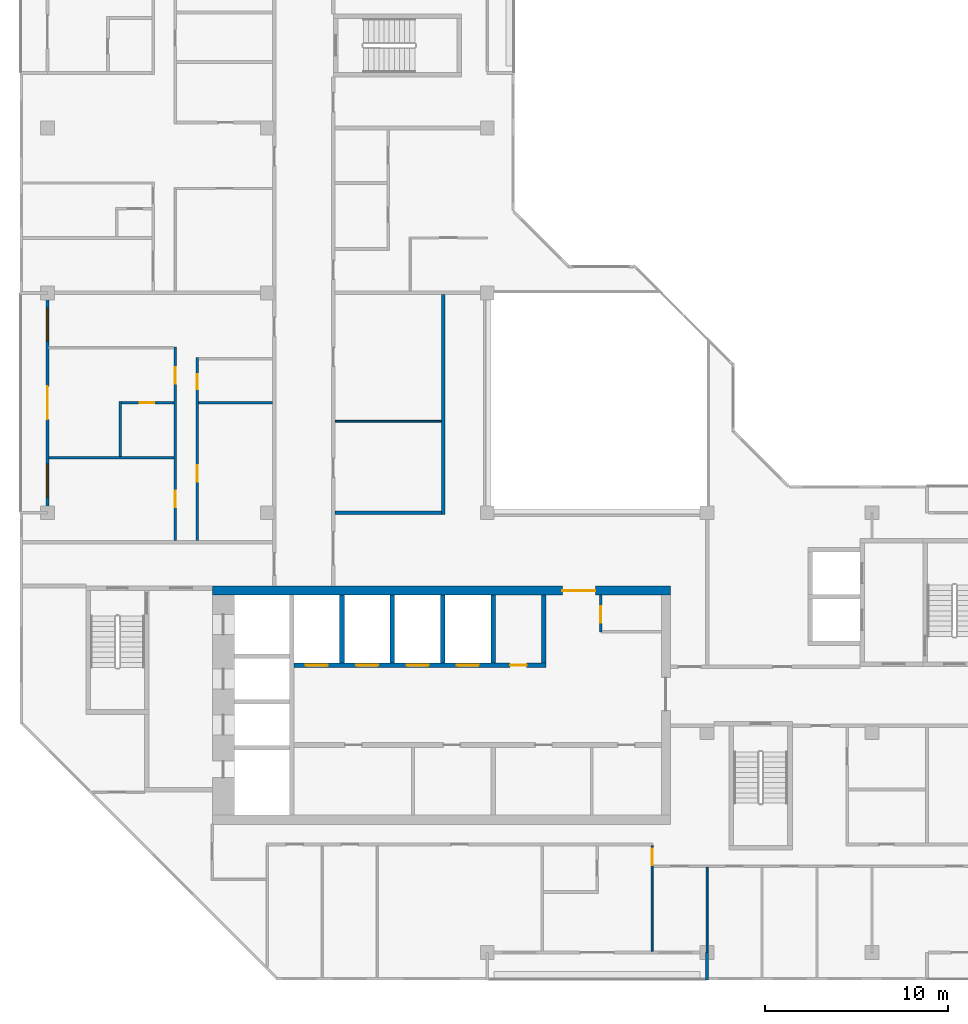
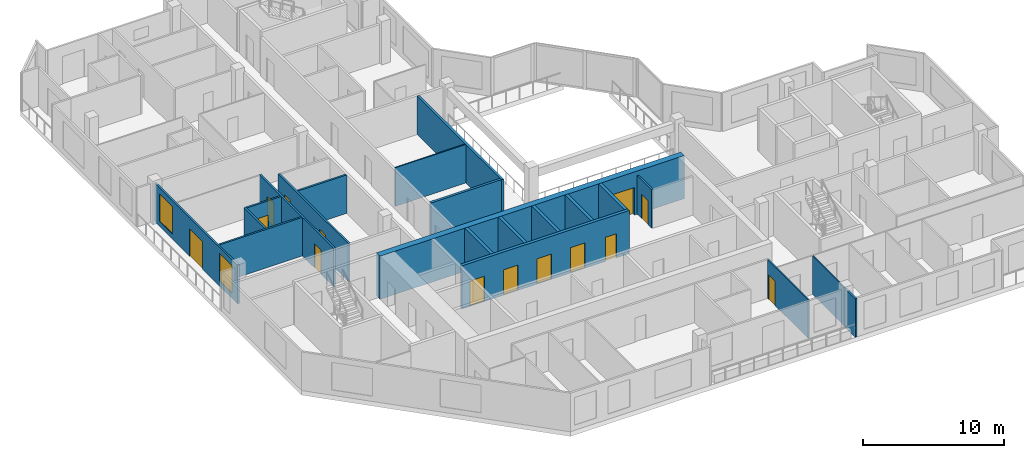
# One storey, part 5 of 12: 21 walls, 14 doors, 2 windows, 16 openings.
"""IFC4 building model written with IfcOpenShell, lengths in metres."""

from ifc_helpers import new_model, si_unit, direction, frame, frame_2d, origin, place, context, subcontext, project, spatial, rectangle, extrude, material, layer, layer_set, type_object, element, fill, save


model = new_model("IFC4")

# Units and contexts
model_context = context("Model", 3, precision=1e-05, world=origin(), true_north=direction((0.0, 1.0)))
body_context = subcontext(model_context, "Body", "Model", "MODEL_VIEW")
ifc_project = project(units=[si_unit("LENGTHUNIT", "METRE"), si_unit("AREAUNIT", "SQUARE_METRE"), si_unit("VOLUMEUNIT", "CUBIC_METRE"), si_unit("PLANEANGLEUNIT", "RADIAN"), si_unit("MASSUNIT", "GRAM", prefix="KILO")], contexts=[model_context])

# Site, building, storey
site_placement = place(None, origin())
site = spatial("IfcSite", under=ifc_project, at=site_placement, CompositionType="ELEMENT")
building_placement = place(site_placement, origin())
building = spatial("IfcBuilding", under=site, at=building_placement, Name="Chenar Terraces", CompositionType="ELEMENT")
storey_placement = place(building_placement, frame((0.0, 0.0, 357.64990234375)))
storey = spatial("IfcBuildingStorey", under=building, at=storey_placement, Name="L83", CompositionType="ELEMENT", Elevation=357.64990234375)

# Wall, opening, door
ifc_material_1 = material(Name="Gypsum board on steel studs", Category="steel")
ifc_layer_1 = layer(ifc_material_1, 0.14990234375)
ifc_layer_set_1 = layer_set([ifc_layer_1], Name="Gypsum board on steel studs")
wall_type_1 = type_object("IfcWallType", Name="Core partition 150 gypsum board", PredefinedType="PARTITIONING", material=ifc_layer_set_1)
wall_1_placement = place(storey_placement, frame((30.199951171875, 17.5, 0.0), z_axis=(0.0, 0.0, 1.0), x_axis=(0.0, 1.0, 0.0)))
wall_1 = element("IfcWall", 1, at=wall_1_placement, inside=storey, type_object=wall_type_1, Name="Core partition CP1 vestibule room west wall", PredefinedType="PARTITIONING", context=body_context, shape_type="SweptSolid", body=[
    extrude(rectangle(XDim=2.0, YDim=0.14990234375, at=frame_2d((1.0, 0.0))), origin(), (0.0, 0.0, 1.0), 3.35009765625),
])
opening_1_placement = place(wall_1_placement, frame((0.5, 0.0, 0.0)))
opening_1 = element("IfcOpeningElement", 2, at=opening_1_placement, cuts=wall_1, Name="Opening DL83-C17", PredefinedType="OPENING", context=body_context, shape_type="SweptSolid", body=[
    extrude(rectangle(XDim=0.89990234375, YDim=2.10009765625, at=frame_2d((0.449951171875, 1.050048828125))), frame((0.0, 0.0849609375, 0.0), z_axis=(0.0, -1.0, 0.0), x_axis=(1.0, 0.0, 0.0)), (0.0, 0.0, 1.0), 0.169921875),
])
ifc_material_2 = material(Name="Steel-framed fire-resisting door leaf", Category="steel")
door_type_1 = type_object("IfcDoorType", Name="Riser fire door FD60 900 x 2100", OperationType="SINGLE_SWING_LEFT", PredefinedType="DOOR", material=ifc_material_2)
door_1_placement = place(opening_1_placement, frame((0.89990234375, 0.0, 0.0), z_axis=(0.0, 0.0, 1.0), x_axis=(-1.0, 0.0, 0.0)))
door_1 = element("IfcDoor", 3, at=door_1_placement, inside=storey, type_object=door_type_1, Name="Core room door DL83-C17", OperationType="SINGLE_SWING_RIGHT", OverallHeight=2.10009765625, OverallWidth=0.89990234375, PredefinedType="DOOR", context=body_context, shape_type="SweptSolid", body=[
    extrude(rectangle(XDim=0.89990234375, YDim=2.10009765625, at=frame_2d((0.449951171875, 1.050048828125))), frame((0.0, 0.02490234375, 0.0), z_axis=(0.0, -1.0, 0.0), x_axis=(1.0, 0.0, 0.0)), (0.0, 0.0, 1.0), 0.050048828125),
])
fill(opening_1, door_1)

# Wall, openings, doors
ifc_material_3 = material(Name="Concrete C50/60", Category="concrete")
ifc_layer_2 = layer(ifc_material_3, 0.25)
ifc_layer_set_2 = layer_set([ifc_layer_2], Name="Concrete C50/60")
wall_type_2 = type_object("IfcWallType", Name="Core wall 250 Concrete C50/60", PredefinedType="SHEAR", material=ifc_layer_set_2)
wall_2_placement = place(storey_placement, frame((13.449951171875, 15.675048828125, 0.0), z_axis=(0.0, 0.0, 1.0), x_axis=(1.0, 0.0, 0.0)))
wall_2 = element("IfcWall", 4, at=wall_2_placement, inside=storey, type_object=wall_type_2, Name="Core wall NF L83", PredefinedType="SHEAR", context=body_context, shape_type="SweptSolid", body=[
    extrude(rectangle(XDim=13.75, YDim=0.25, at=frame_2d((6.875, 0.0))), origin(), (0.0, 0.0, 1.0), 3.75),
])
opening_2_placement = place(wall_2_placement, frame((0.64990234375, 0.0, 0.0)))
opening_2 = element("IfcOpeningElement", 5, at=opening_2_placement, cuts=wall_2, Name="Opening DL83-LD1", PredefinedType="OPENING", context=body_context, shape_type="SweptSolid", body=[
    extrude(rectangle(XDim=1.199951171875, YDim=2.199951171875, at=frame_2d((0.60009765625, 1.10009765625))), frame((0.0, 0.135009765625, 0.0), z_axis=(0.0, -1.0, 0.0), x_axis=(1.0, 0.0, 0.0)), (0.0, 0.0, 1.0), 0.27001953125),
])
opening_3_placement = place(wall_2_placement, frame((3.39990234375, 0.0, 0.0)))
opening_3 = element("IfcOpeningElement", 6, at=opening_3_placement, cuts=wall_2, Name="Opening DL83-LD2", PredefinedType="OPENING", context=body_context, shape_type="SweptSolid", body=[
    extrude(rectangle(XDim=1.199951171875, YDim=2.199951171875, at=frame_2d((0.60009765625, 1.10009765625))), frame((0.0, 0.135009765625, 0.0), z_axis=(0.0, -1.0, 0.0), x_axis=(1.0, 0.0, 0.0)), (0.0, 0.0, 1.0), 0.27001953125),
])
opening_4_placement = place(wall_2_placement, frame((6.14990234375, 0.0, 0.0)))
opening_4 = element("IfcOpeningElement", 7, at=opening_4_placement, cuts=wall_2, Name="Opening DL83-LD3", PredefinedType="OPENING", context=body_context, shape_type="SweptSolid", body=[
    extrude(rectangle(XDim=1.199951171875, YDim=2.199951171875, at=frame_2d((0.60009765625, 1.10009765625))), frame((0.0, 0.135009765625, 0.0), z_axis=(0.0, -1.0, 0.0), x_axis=(1.0, 0.0, 0.0)), (0.0, 0.0, 1.0), 0.27001953125),
])
opening_5_placement = place(wall_2_placement, frame((8.89990234375, 0.0, 0.0)))
opening_5 = element("IfcOpeningElement", 8, at=opening_5_placement, cuts=wall_2, Name="Opening DL83-LD4", PredefinedType="OPENING", context=body_context, shape_type="SweptSolid", body=[
    extrude(rectangle(XDim=1.199951171875, YDim=2.199951171875, at=frame_2d((0.60009765625, 1.10009765625))), frame((0.0, 0.135009765625, 0.0), z_axis=(0.0, -1.0, 0.0), x_axis=(1.0, 0.0, 0.0)), (0.0, 0.0, 1.0), 0.27001953125),
])
opening_6_placement = place(wall_2_placement, frame((11.800048828125, 0.0, 0.0)))
opening_6 = element("IfcOpeningElement", 9, at=opening_6_placement, cuts=wall_2, Name="Opening DL83-C16", PredefinedType="OPENING", context=body_context, shape_type="SweptSolid", body=[
    extrude(rectangle(XDim=0.89990234375, YDim=2.10009765625, at=frame_2d((0.449951171875, 1.050048828125))), frame((0.0, 0.135009765625, 0.0), z_axis=(0.0, -1.0, 0.0), x_axis=(1.0, 0.0, 0.0)), (0.0, 0.0, 1.0), 0.27001953125),
])
ifc_material_4 = material(Name="Stainless steel", Category="steel")
door_type_2 = type_object("IfcDoorType", Name="Lift landing door 1200 x 2200 sliding", OperationType="DOUBLE_DOOR_SLIDING", PredefinedType="DOOR", material=ifc_material_4)
door_2_placement = place(opening_2_placement, origin())
door_2 = element("IfcDoor", 10, at=door_2_placement, inside=storey, type_object=door_type_2, Name="Landing door H1", OperationType="DOUBLE_DOOR_SLIDING", OverallHeight=2.199951171875, OverallWidth=1.199951171875, PredefinedType="DOOR", context=body_context, shape_type="SweptSolid", body=[
    extrude(rectangle(XDim=1.199951171875, YDim=2.199951171875, at=frame_2d((0.60009765625, 1.10009765625))), frame((0.0, 0.02490234375, 0.0), z_axis=(0.0, -1.0, 0.0), x_axis=(1.0, 0.0, 0.0)), (0.0, 0.0, 1.0), 0.050048828125),
])
fill(opening_2, door_2)
door_3_placement = place(opening_3_placement, origin())
door_3 = element("IfcDoor", 11, at=door_3_placement, inside=storey, type_object=door_type_2, Name="Landing door H2", OperationType="DOUBLE_DOOR_SLIDING", OverallHeight=2.199951171875, OverallWidth=1.199951171875, PredefinedType="DOOR", context=body_context, shape_type="SweptSolid", body=[
    extrude(rectangle(XDim=1.199951171875, YDim=2.199951171875, at=frame_2d((0.60009765625, 1.10009765625))), frame((0.0, 0.02490234375, 0.0), z_axis=(0.0, -1.0, 0.0), x_axis=(1.0, 0.0, 0.0)), (0.0, 0.0, 1.0), 0.050048828125),
])
fill(opening_3, door_3)
door_4_placement = place(opening_4_placement, origin())
door_4 = element("IfcDoor", 12, at=door_4_placement, inside=storey, type_object=door_type_2, Name="Landing door H3", OperationType="DOUBLE_DOOR_SLIDING", OverallHeight=2.199951171875, OverallWidth=1.199951171875, PredefinedType="DOOR", context=body_context, shape_type="SweptSolid", body=[
    extrude(rectangle(XDim=1.199951171875, YDim=2.199951171875, at=frame_2d((0.60009765625, 1.10009765625))), frame((0.0, 0.02490234375, 0.0), z_axis=(0.0, -1.0, 0.0), x_axis=(1.0, 0.0, 0.0)), (0.0, 0.0, 1.0), 0.050048828125),
])
fill(opening_4, door_4)
door_5_placement = place(opening_5_placement, origin())
door_5 = element("IfcDoor", 13, at=door_5_placement, inside=storey, type_object=door_type_2, Name="Landing door H4", OperationType="DOUBLE_DOOR_SLIDING", OverallHeight=2.199951171875, OverallWidth=1.199951171875, PredefinedType="DOOR", context=body_context, shape_type="SweptSolid", body=[
    extrude(rectangle(XDim=1.199951171875, YDim=2.199951171875, at=frame_2d((0.60009765625, 1.10009765625))), frame((0.0, 0.02490234375, 0.0), z_axis=(0.0, -1.0, 0.0), x_axis=(1.0, 0.0, 0.0)), (0.0, 0.0, 1.0), 0.050048828125),
])
fill(opening_5, door_5)
door_6_placement = place(opening_6_placement, origin())
door_6 = element("IfcDoor", 14, at=door_6_placement, inside=storey, type_object=door_type_1, Name="Core room door DL83-C16", OperationType="SINGLE_SWING_RIGHT", OverallHeight=2.10009765625, OverallWidth=0.89990234375, PredefinedType="DOOR", context=body_context, shape_type="SweptSolid", body=[
    extrude(rectangle(XDim=0.89990234375, YDim=2.10009765625, at=frame_2d((0.449951171875, 1.050048828125))), frame((0.0, 0.02490234375, 0.0), z_axis=(0.0, -1.0, 0.0), x_axis=(1.0, 0.0, 0.0)), (0.0, 0.0, 1.0), 0.050048828125),
])
fill(opening_6, door_6)

# Walls
for number, where, z_axis, x_axis, name in (
    (15, (16.074951171875, 15.800048828125, 0.0), (0.0, 0.0, 1.0), (0.0, 1.0, 0.0), "Core wall NS0 L83"),
    (16, (18.824951171875, 15.800048828125, 0.0), (0.0, 0.0, 1.0), (0.0, 1.0, 0.0), "Core wall NS1 L83"),
    (17, (21.574951171875, 15.800048828125, 0.0), (0.0, 0.0, 1.0), (0.0, 1.0, 0.0), "Core wall NS2 L83"),
    (18, (24.324951171875, 15.800048828125, 0.0), (0.0, 0.0, 1.0), (0.0, 1.0, 0.0), "Core wall NS3 L83"),
    (19, (27.074951171875, 15.800048828125, 0.0), (0.0, 0.0, 1.0), (0.0, 1.0, 0.0), "Core wall NE L83"),
):
    element("IfcWall", number, at=place(storey_placement, frame(where, z_axis=z_axis, x_axis=x_axis)), inside=storey, type_object=wall_type_2, Name=name, PredefinedType="SHEAR", context=body_context, shape_type="SweptSolid", body=[
        extrude(rectangle(XDim=3.699951171875, YDim=0.25, at=frame_2d((1.85009765625, 0.0))), origin(), (0.0, 0.0, 1.0), 3.75),
    ])

# Wall, opening, door
ifc_material_5 = material(Name="Concrete C50/60", Category="concrete")
ifc_layer_3 = layer(ifc_material_5, 0.5)
ifc_layer_set_3 = layer_set([ifc_layer_3], Name="Concrete C50/60")
wall_type_3 = type_object("IfcWallType", Name="Core wall 500 Concrete C50/60", PredefinedType="SHEAR", material=ifc_layer_set_3)
wall_3_placement = place(storey_placement, frame((9.0, 19.75, 0.0), z_axis=(0.0, 0.0, 1.0), x_axis=(1.0, 0.0, 0.0)))
wall_3 = element("IfcWall", 20, at=wall_3_placement, inside=storey, type_object=wall_type_3, Name="Core wall N L83", PredefinedType="SHEAR", context=body_context, shape_type="SweptSolid", body=[
    extrude(rectangle(XDim=25.0, YDim=0.5, at=frame_2d((12.5, 0.0))), origin(), (0.0, 0.0, 1.0), 3.75),
])
opening_7_placement = place(wall_3_placement, frame((19.10009765625, 0.0, 0.0)))
opening_7 = element("IfcOpeningElement", 21, at=opening_7_placement, cuts=wall_3, Name="Opening DL83-C2", PredefinedType="OPENING", context=body_context, shape_type="SweptSolid", body=[
    extrude(rectangle(XDim=1.800048828125, YDim=2.39990234375, at=frame_2d((0.89990234375, 1.199951171875))), frame((0.0, 0.260009765625, 0.0), z_axis=(0.0, -1.0, 0.0), x_axis=(1.0, 0.0, 0.0)), (0.0, 0.0, 1.0), 0.52001953125),
])
ifc_material_6 = material(Name="Steel-framed fire-resisting door leaf", Category="steel")
door_type_3 = type_object("IfcDoorType", Name="Core entrance double fire door FD60 1800 x 2400", OperationType="DOUBLE_DOOR_SINGLE_SWING", PredefinedType="DOOR", material=ifc_material_6)
door_7_placement = place(opening_7_placement, frame((1.800048828125, 0.0, 0.0), z_axis=(0.0, 0.0, 1.0), x_axis=(-1.0, 0.0, 0.0)))
door_7 = element("IfcDoor", 22, at=door_7_placement, inside=storey, type_object=door_type_3, Name="Core door DL83-C2", OperationType="DOUBLE_DOOR_SINGLE_SWING", OverallHeight=2.39990234375, OverallWidth=1.800048828125, PredefinedType="DOOR", context=body_context, shape_type="SweptSolid", body=[
    extrude(rectangle(XDim=1.800048828125, YDim=2.39990234375, at=frame_2d((0.89990234375, 1.199951171875))), frame((0.0, 0.02490234375, 0.0), z_axis=(0.0, -1.0, 0.0), x_axis=(1.0, 0.0, 0.0)), (0.0, 0.0, 1.0), 0.050048828125),
])
fill(opening_7, door_7)

# Walls
ifc_material_7 = material(Name="Gypsum board on steel studs with fire boards", Category="steel")
ifc_layer_4 = layer(ifc_material_7, 0.199951171875)
ifc_layer_set_4 = layer_set([ifc_layer_4], Name="Gypsum board on steel studs with fire boards")
wall_type_4 = type_object("IfcWallType", Name="Corridor wall 200", PredefinedType="PARTITIONING", material=ifc_layer_set_4)
wall_4_placement = place(storey_placement, frame((15.699951171875, 24.0, 0.0), z_axis=(0.0, 0.0, 1.0), x_axis=(1.0, 0.0, 0.0)))
element("IfcWall", 23, at=wall_4_placement, inside=storey, type_object=wall_type_4, Name="Partition L83-036", PredefinedType="PARTITIONING", context=body_context, shape_type="SweptSolid", body=[
    extrude(rectangle(XDim=5.800048828125, YDim=0.199951171875, at=frame_2d((2.89990234375, 0.0))), origin(), (0.0, 0.0, 1.0), 3.35009765625),
])
wall_5_placement = place(storey_placement, frame((21.60009765625, 23.89990234375, 0.0), z_axis=(0.0, 0.0, 1.0), x_axis=(0.0, 1.0, 0.0)))
element("IfcWall", 24, at=wall_5_placement, inside=storey, type_object=wall_type_4, Name="Partition L83-046", PredefinedType="PARTITIONING", context=body_context, shape_type="SweptSolid", body=[
    extrude(rectangle(XDim=12.0, YDim=0.199951171875, at=frame_2d((6.0, 0.0))), origin(), (0.0, 0.0, 1.0), 3.35009765625),
])

# Wall, openings, windows, door
ifc_material_8 = material(Name="Aluminium framed glazing", Category="aluminium")
ifc_layer_5 = layer(ifc_material_8, 0.14990234375)
ifc_layer_set_5 = layer_set([ifc_layer_5], Name="Aluminium framed glazing")
wall_type_5 = type_object("IfcWallType", Name="Glazed loggia back wall 150", PredefinedType="SOLIDWALL", material=ifc_layer_set_5)
wall_6_placement = place(storey_placement, frame((0.0, 35.925048828125, 0.0), z_axis=(0.0, 0.0, 1.0), x_axis=(0.0, -1.0, 0.0)))
wall_6 = element("IfcWall", 25, at=wall_6_placement, inside=storey, type_object=wall_type_5, Name="Glazed loggia back wall", PredefinedType="SOLIDWALL", context=body_context, shape_type="SweptSolid", body=[
    extrude(rectangle(XDim=11.85009765625, YDim=0.14990234375, at=frame_2d((5.925048828125, 0.0))), origin(), (0.0, 0.0, 1.0), 3.35009765625),
])
opening_8_placement = place(wall_6_placement, frame((0.762451171875, 0.0, 0.449951171875)))
opening_8 = element("IfcOpeningElement", 26, at=opening_8_placement, cuts=wall_6, Name="Opening W180x240", PredefinedType="OPENING", context=body_context, shape_type="SweptSolid", body=[
    extrude(rectangle(XDim=1.800048828125, YDim=2.39990234375, at=frame_2d((0.89990234375, 1.199951171875))), frame((0.0, 0.0849609375, 0.0), z_axis=(0.0, -1.0, 0.0), x_axis=(1.0, 0.0, 0.0)), (0.0, 0.0, 1.0), 0.169921875),
])
opening_9_placement = place(wall_6_placement, frame((5.02490234375, 0.0, 0.0)))
opening_9 = element("IfcOpeningElement", 27, at=opening_9_placement, cuts=wall_6, Name="Opening DL83-G3", PredefinedType="OPENING", context=body_context, shape_type="SweptSolid", body=[
    extrude(rectangle(XDim=1.800048828125, YDim=2.39990234375, at=frame_2d((0.89990234375, 1.199951171875))), frame((0.0, 0.0849609375, 0.0), z_axis=(0.0, -1.0, 0.0), x_axis=(1.0, 0.0, 0.0)), (0.0, 0.0, 1.0), 0.169921875),
])
opening_10_placement = place(wall_6_placement, frame((9.28759765625, 0.0, 0.449951171875)))
opening_10 = element("IfcOpeningElement", 28, at=opening_10_placement, cuts=wall_6, Name="Opening W180x240", PredefinedType="OPENING", context=body_context, shape_type="SweptSolid", body=[
    extrude(rectangle(XDim=1.800048828125, YDim=2.39990234375, at=frame_2d((0.89990234375, 1.199951171875))), frame((0.0, 0.0849609375, 0.0), z_axis=(0.0, -1.0, 0.0), x_axis=(1.0, 0.0, 0.0)), (0.0, 0.0, 1.0), 0.169921875),
])
ifc_material_9 = material(Name="Low emissivity double glazing, aluminium frame", Category="aluminium")
window_type = type_object("IfcWindowType", Name="Fixed light 1800 x 2400", PartitioningType="SINGLE_PANEL", PredefinedType="WINDOW", material=ifc_material_9)
window_1_placement = place(opening_8_placement, origin())
window_1 = element("IfcWindow", 29, at=window_1_placement, inside=storey, type_object=window_type, Name="Window", OverallHeight=2.39990234375, OverallWidth=1.800048828125, PartitioningType="SINGLE_PANEL", PredefinedType="WINDOW", context=body_context, shape_type="SweptSolid", body=[
    extrude(rectangle(XDim=1.800048828125, YDim=2.39990234375, at=frame_2d((0.89990234375, 1.199951171875))), frame((0.0, 0.030029296875, 0.0), z_axis=(0.0, -1.0, 0.0), x_axis=(1.0, 0.0, 0.0)), (0.0, 0.0, 1.0), 0.06005859375),
])
fill(opening_8, window_1)
window_2_placement = place(opening_10_placement, origin())
window_2 = element("IfcWindow", 30, at=window_2_placement, inside=storey, type_object=window_type, Name="Window", OverallHeight=2.39990234375, OverallWidth=1.800048828125, PartitioningType="SINGLE_PANEL", PredefinedType="WINDOW", context=body_context, shape_type="SweptSolid", body=[
    extrude(rectangle(XDim=1.800048828125, YDim=2.39990234375, at=frame_2d((0.89990234375, 1.199951171875))), frame((0.0, 0.030029296875, 0.0), z_axis=(0.0, -1.0, 0.0), x_axis=(1.0, 0.0, 0.0)), (0.0, 0.0, 1.0), 0.06005859375),
])
fill(opening_10, window_2)
ifc_material_10 = material(Name="Low emissivity double glazing, aluminium frame", Category="aluminium")
door_type_4 = type_object("IfcDoorType", Name="Loggia glazed double door 1800 x 2400", OperationType="DOUBLE_DOOR_SINGLE_SWING", PredefinedType="DOOR", material=ifc_material_10)
door_8_placement = place(opening_9_placement, frame((1.800048828125, 0.0, 0.0), z_axis=(0.0, 0.0, 1.0), x_axis=(-1.0, 0.0, 0.0)))
door_8 = element("IfcDoor", 31, at=door_8_placement, inside=storey, type_object=door_type_4, Name="Loggia glazed door", OperationType="DOUBLE_DOOR_SINGLE_SWING", OverallHeight=2.39990234375, OverallWidth=1.800048828125, PredefinedType="DOOR", context=body_context, shape_type="SweptSolid", body=[
    extrude(rectangle(XDim=1.800048828125, YDim=2.39990234375, at=frame_2d((0.89990234375, 1.199951171875))), frame((0.0, 0.02490234375, 0.0), z_axis=(0.0, -1.0, 0.0), x_axis=(1.0, 0.0, 0.0)), (0.0, 0.0, 1.0), 0.050048828125),
])
fill(opening_9, door_8)

# Wall
ifc_material_11 = material(Name="Gypsum board on steel studs", Category="steel")
ifc_layer_6 = layer(ifc_material_11, 0.10009765625)
ifc_layer_set_6 = layer_set([ifc_layer_6], Name="Gypsum board on steel studs")
wall_type_6 = type_object("IfcWallType", Name="Gypsum partition 100", PredefinedType="PARTITIONING", material=ifc_layer_set_6)
wall_7_placement = place(storey_placement, frame((15.699951171875, 29.0, 0.0), z_axis=(0.0, 0.0, 1.0), x_axis=(1.0, 0.0, 0.0)))
element("IfcWall", 32, at=wall_7_placement, inside=storey, type_object=wall_type_6, Name="Partition L83-037", PredefinedType="PARTITIONING", context=body_context, shape_type="SweptSolid", body=[
    extrude(rectangle(XDim=5.800048828125, YDim=0.10009765625, at=frame_2d((2.89990234375, 0.0))), origin(), (0.0, 0.0, 1.0), 3.35009765625),
])

# Wall, opening, door
wall_8_placement = place(storey_placement, frame((33.0, 0.073974609375, 0.0), z_axis=(0.0, 0.0, 1.0), x_axis=(0.0, 1.0, 0.0)))
wall_8 = element("IfcWall", 33, at=wall_8_placement, inside=storey, type_object=wall_type_6, Name="Partition L83-050", PredefinedType="PARTITIONING", context=body_context, shape_type="SweptSolid", body=[
    extrude(rectangle(XDim=5.7509765625, YDim=0.10009765625, at=frame_2d((2.87548828125, 0.0))), origin(), (0.0, 0.0, 1.0), 3.35009765625),
])
opening_11_placement = place(wall_8_placement, frame((4.700927734375, 0.0, 0.0)))
opening_11 = element("IfcOpeningElement", 34, at=opening_11_placement, cuts=wall_8, Name="Opening DL83-32", PredefinedType="OPENING", context=body_context, shape_type="SweptSolid", body=[
    extrude(rectangle(XDim=0.89990234375, YDim=2.10009765625, at=frame_2d((0.449951171875, 1.050048828125))), frame((0.0, 0.06005859375, 0.0), z_axis=(0.0, -1.0, 0.0), x_axis=(1.0, 0.0, 0.0)), (0.0, 0.0, 1.0), 0.1201171875),
])
ifc_material_12 = material(Name="Veneered timber door leaf", Category="wood")
door_type_5 = type_object("IfcDoorType", Name="Door 900 x 2100", OperationType="SINGLE_SWING_LEFT", PredefinedType="DOOR", material=ifc_material_12)
door_9_placement = place(opening_11_placement, origin())
door_9 = element("IfcDoor", 35, at=door_9_placement, inside=storey, type_object=door_type_5, Name="Door DL83-32", OperationType="SINGLE_SWING_RIGHT", OverallHeight=2.10009765625, OverallWidth=0.89990234375, PredefinedType="DOOR", context=body_context, shape_type="SweptSolid", body=[
    extrude(rectangle(XDim=0.89990234375, YDim=2.10009765625, at=frame_2d((0.449951171875, 1.050048828125))), frame((0.0, 0.02490234375, 0.0), z_axis=(0.0, -1.0, 0.0), x_axis=(1.0, 0.0, 0.0)), (0.0, 0.0, 1.0), 0.050048828125),
])
fill(opening_11, door_9)

# Walls
wall_9_placement = place(storey_placement, frame((36.0, 0.0, 0.0), z_axis=(0.0, 0.0, 1.0), x_axis=(0.0, 1.0, 0.0)))
element("IfcWall", 36, at=wall_9_placement, inside=storey, type_object=wall_type_6, Name="Partition L83-054", PredefinedType="PARTITIONING", context=body_context, shape_type="SweptSolid", body=[
    extrude(rectangle(XDim=4.64990234375, YDim=0.10009765625, at=frame_2d((2.324951171875, 0.0))), origin(), (0.0, 0.0, 1.0), 3.35009765625),
])
ifc_material_13 = material(Name="Terracotta cladding on insulated backing", Category="masonry")
ifc_layer_7 = layer(ifc_material_13, 0.14990234375)
ifc_layer_set_7 = layer_set([ifc_layer_7], Name="Terracotta cladding on insulated backing")
wall_type_7 = type_object("IfcWallType", Name="Loggia return wall 150", PredefinedType="SOLIDWALL", material=ifc_layer_set_7)
wall_10_placement = place(storey_placement, frame((36.0, -1.5, 0.0), z_axis=(0.0, 0.0, 1.0), x_axis=(0.0, 1.0, 0.0)))
element("IfcWall", 37, at=wall_10_placement, inside=storey, type_object=wall_type_7, Name="Loggia return wall", PredefinedType="SOLIDWALL", context=body_context, shape_type="SweptSolid", body=[
    extrude(rectangle(XDim=1.5, YDim=0.14990234375, at=frame_2d((0.75, 0.0))), origin(), (0.0, 0.0, 1.0), 3.35009765625),
])
ifc_material_14 = material(Name="Moisture-resistant gypsum board on steel studs", Category="steel")
ifc_layer_8 = layer(ifc_material_14, 0.14990234375)
ifc_layer_set_8 = layer_set([ifc_layer_8], Name="Moisture-resistant gypsum board on steel studs")
wall_type_8 = type_object("IfcWallType", Name="Wet-room partition 150", PredefinedType="PARTITIONING", material=ifc_layer_set_8)
wall_11_placement = place(storey_placement, frame((0.073974609375, 27.0, 0.0), z_axis=(0.0, 0.0, 1.0), x_axis=(1.0, 0.0, 0.0)))
element("IfcWall", 38, at=wall_11_placement, inside=storey, type_object=wall_type_8, Name="Partition L83-007", PredefinedType="PARTITIONING", context=body_context, shape_type="SweptSolid", body=[
    extrude(rectangle(XDim=6.825927734375, YDim=0.14990234375, at=frame_2d((3.4130859375, 0.0))), origin(), (0.0, 0.0, 1.0), 3.35009765625),
])
wall_12_placement = place(storey_placement, frame((3.97509765625, 27.074951171875, 0.0), z_axis=(0.0, 0.0, 1.0), x_axis=(0.0, 1.0, 0.0)))
element("IfcWall", 39, at=wall_12_placement, inside=storey, type_object=wall_type_8, Name="Partition L83-014", PredefinedType="PARTITIONING", context=body_context, shape_type="SweptSolid", body=[
    extrude(rectangle(XDim=3.0, YDim=0.14990234375, at=frame_2d((1.5, 0.0))), origin(), (0.0, 0.0, 1.0), 3.35009765625),
])

# Wall, opening, door
wall_13_placement = place(storey_placement, frame((4.050048828125, 30.0, 0.0), z_axis=(0.0, 0.0, 1.0), x_axis=(1.0, 0.0, 0.0)))
wall_13 = element("IfcWall", 40, at=wall_13_placement, inside=storey, type_object=wall_type_8, Name="Partition L83-015", PredefinedType="PARTITIONING", context=body_context, shape_type="SweptSolid", body=[
    extrude(rectangle(XDim=2.849853515625, YDim=0.14990234375, at=frame_2d((1.4248046875, 0.0))), origin(), (0.0, 0.0, 1.0), 3.35009765625),
])
opening_12_placement = place(wall_13_placement, frame((0.97509765625, 0.0, 0.0)))
opening_12 = element("IfcOpeningElement", 41, at=opening_12_placement, cuts=wall_13, Name="Opening DL83-42", PredefinedType="OPENING", context=body_context, shape_type="SweptSolid", body=[
    extrude(rectangle(XDim=0.800048828125, YDim=2.10009765625, at=frame_2d((0.39990234375, 1.050048828125))), frame((0.0, 0.0849609375, 0.0), z_axis=(0.0, -1.0, 0.0), x_axis=(1.0, 0.0, 0.0)), (0.0, 0.0, 1.0), 0.169921875),
])
ifc_material_15 = material(Name="Veneered timber door leaf", Category="wood")
door_type_6 = type_object("IfcDoorType", Name="Door 800 x 2100", OperationType="SINGLE_SWING_LEFT", PredefinedType="DOOR", material=ifc_material_15)
door_10_placement = place(opening_12_placement, frame((0.800048828125, 0.0, 0.0), z_axis=(0.0, 0.0, 1.0), x_axis=(-1.0, 0.0, 0.0)))
door_10 = element("IfcDoor", 42, at=door_10_placement, inside=storey, type_object=door_type_6, Name="Door DL83-42", OperationType="SINGLE_SWING_RIGHT", OverallHeight=2.10009765625, OverallWidth=0.800048828125, PredefinedType="DOOR", context=body_context, shape_type="SweptSolid", body=[
    extrude(rectangle(XDim=0.800048828125, YDim=2.10009765625, at=frame_2d((0.39990234375, 1.050048828125))), frame((0.0, 0.02490234375, 0.0), z_axis=(0.0, -1.0, 0.0), x_axis=(1.0, 0.0, 0.0)), (0.0, 0.0, 1.0), 0.050048828125),
])
fill(opening_12, door_10)

# Wall, openings, doors
wall_14_placement = place(storey_placement, frame((6.97509765625, 22.5, 0.0), z_axis=(0.0, 0.0, 1.0), x_axis=(0.0, 1.0, 0.0)))
wall_14 = element("IfcWall", 43, at=wall_14_placement, inside=storey, type_object=wall_type_8, Name="Partition L83-018", PredefinedType="PARTITIONING", context=body_context, shape_type="SweptSolid", body=[
    extrude(rectangle(XDim=10.550048828125, YDim=0.14990234375, at=frame_2d((5.27490234375, 0.0))), origin(), (0.0, 0.0, 1.0), 3.35009765625),
])
opening_13_placement = place(wall_14_placement, frame((1.800048828125, 0.0, 0.0)))
opening_13 = element("IfcOpeningElement", 44, at=opening_13_placement, cuts=wall_14, Name="Opening DL83-40", PredefinedType="OPENING", context=body_context, shape_type="SweptSolid", body=[
    extrude(rectangle(XDim=0.89990234375, YDim=2.10009765625, at=frame_2d((0.449951171875, 1.050048828125))), frame((0.0, 0.0849609375, 0.0), z_axis=(0.0, -1.0, 0.0), x_axis=(1.0, 0.0, 0.0)), (0.0, 0.0, 1.0), 0.169921875),
])
opening_14_placement = place(wall_14_placement, frame((8.550048828125, 0.0, 0.0)))
opening_14 = element("IfcOpeningElement", 45, at=opening_14_placement, cuts=wall_14, Name="Opening DL83-41", PredefinedType="OPENING", context=body_context, shape_type="SweptSolid", body=[
    extrude(rectangle(XDim=0.89990234375, YDim=2.10009765625, at=frame_2d((0.449951171875, 1.050048828125))), frame((0.0, 0.0849609375, 0.0), z_axis=(0.0, -1.0, 0.0), x_axis=(1.0, 0.0, 0.0)), (0.0, 0.0, 1.0), 0.169921875),
])
door_11_placement = place(opening_13_placement, origin())
door_11 = element("IfcDoor", 46, at=door_11_placement, inside=storey, type_object=door_type_5, Name="Door DL83-40", OperationType="SINGLE_SWING_RIGHT", OverallHeight=2.10009765625, OverallWidth=0.89990234375, PredefinedType="DOOR", context=body_context, shape_type="SweptSolid", body=[
    extrude(rectangle(XDim=0.89990234375, YDim=2.10009765625, at=frame_2d((0.449951171875, 1.050048828125))), frame((0.0, 0.02490234375, 0.0), z_axis=(0.0, -1.0, 0.0), x_axis=(1.0, 0.0, 0.0)), (0.0, 0.0, 1.0), 0.050048828125),
])
fill(opening_13, door_11)
door_12_placement = place(opening_14_placement, origin())
door_12 = element("IfcDoor", 47, at=door_12_placement, inside=storey, type_object=door_type_5, Name="Door DL83-41", OperationType="SINGLE_SWING_RIGHT", OverallHeight=2.10009765625, OverallWidth=0.89990234375, PredefinedType="DOOR", context=body_context, shape_type="SweptSolid", body=[
    extrude(rectangle(XDim=0.89990234375, YDim=2.10009765625, at=frame_2d((0.449951171875, 1.050048828125))), frame((0.0, 0.02490234375, 0.0), z_axis=(0.0, -1.0, 0.0), x_axis=(1.0, 0.0, 0.0)), (0.0, 0.0, 1.0), 0.050048828125),
])
fill(opening_14, door_12)

wall_15_placement = place(storey_placement, frame((8.175048828125, 22.5, 0.0), z_axis=(0.0, 0.0, 1.0), x_axis=(0.0, 1.0, 0.0)))
wall_15 = element("IfcWall", 48, at=wall_15_placement, inside=storey, type_object=wall_type_8, Name="Partition L83-025", PredefinedType="PARTITIONING", context=body_context, shape_type="SweptSolid", body=[
    extrude(rectangle(XDim=9.97509765625, YDim=0.14990234375, at=frame_2d((4.987548828125, 0.0))), origin(), (0.0, 0.0, 1.0), 3.35009765625),
])
opening_15_placement = place(wall_15_placement, frame((8.25, 0.0, 0.0)))
opening_15 = element("IfcOpeningElement", 49, at=opening_15_placement, cuts=wall_15, Name="Opening DL83-39", PredefinedType="OPENING", context=body_context, shape_type="SweptSolid", body=[
    extrude(rectangle(XDim=0.800048828125, YDim=2.10009765625, at=frame_2d((0.39990234375, 1.050048828125))), frame((0.0, 0.0849609375, 0.0), z_axis=(0.0, -1.0, 0.0), x_axis=(1.0, 0.0, 0.0)), (0.0, 0.0, 1.0), 0.169921875),
])
opening_16_placement = place(wall_15_placement, frame((3.199951171875, 0.0, 0.0)))
opening_16 = element("IfcOpeningElement", 50, at=opening_16_placement, cuts=wall_15, Name="Opening DL83-43", PredefinedType="OPENING", context=body_context, shape_type="SweptSolid", body=[
    extrude(rectangle(XDim=0.89990234375, YDim=2.10009765625, at=frame_2d((0.449951171875, 1.050048828125))), frame((0.0, 0.0849609375, 0.0), z_axis=(0.0, -1.0, 0.0), x_axis=(1.0, 0.0, 0.0)), (0.0, 0.0, 1.0), 0.169921875),
])
door_13_placement = place(opening_15_placement, frame((0.800048828125, 0.0, 0.0), z_axis=(0.0, 0.0, 1.0), x_axis=(-1.0, 0.0, 0.0)))
door_13 = element("IfcDoor", 51, at=door_13_placement, inside=storey, type_object=door_type_6, Name="Door DL83-39", OperationType="SINGLE_SWING_RIGHT", OverallHeight=2.10009765625, OverallWidth=0.800048828125, PredefinedType="DOOR", context=body_context, shape_type="SweptSolid", body=[
    extrude(rectangle(XDim=0.800048828125, YDim=2.10009765625, at=frame_2d((0.39990234375, 1.050048828125))), frame((0.0, 0.02490234375, 0.0), z_axis=(0.0, -1.0, 0.0), x_axis=(1.0, 0.0, 0.0)), (0.0, 0.0, 1.0), 0.050048828125),
])
fill(opening_15, door_13)
door_14_placement = place(opening_16_placement, frame((0.89990234375, 0.0, 0.0), z_axis=(0.0, 0.0, 1.0), x_axis=(-1.0, 0.0, 0.0)))
door_14 = element("IfcDoor", 52, at=door_14_placement, inside=storey, type_object=door_type_5, Name="Door DL83-43", OperationType="SINGLE_SWING_LEFT", OverallHeight=2.10009765625, OverallWidth=0.89990234375, PredefinedType="DOOR", context=body_context, shape_type="SweptSolid", body=[
    extrude(rectangle(XDim=0.89990234375, YDim=2.10009765625, at=frame_2d((0.449951171875, 1.050048828125))), frame((0.0, 0.02490234375, 0.0), z_axis=(0.0, -1.0, 0.0), x_axis=(1.0, 0.0, 0.0)), (0.0, 0.0, 1.0), 0.050048828125),
])
fill(opening_16, door_14)

# Wall
wall_16_placement = place(storey_placement, frame((8.25, 30.0, 0.0), z_axis=(0.0, 0.0, 1.0), x_axis=(1.0, 0.0, 0.0)))
element("IfcWall", 53, at=wall_16_placement, inside=storey, type_object=wall_type_8, Name="Partition L83-026", PredefinedType="PARTITIONING", context=body_context, shape_type="SweptSolid", body=[
    extrude(rectangle(XDim=4.02490234375, YDim=0.14990234375, at=frame_2d((2.012451171875, 0.0))), origin(), (0.0, 0.0, 1.0), 3.35009765625),
])

save(model, "model.ifc")
